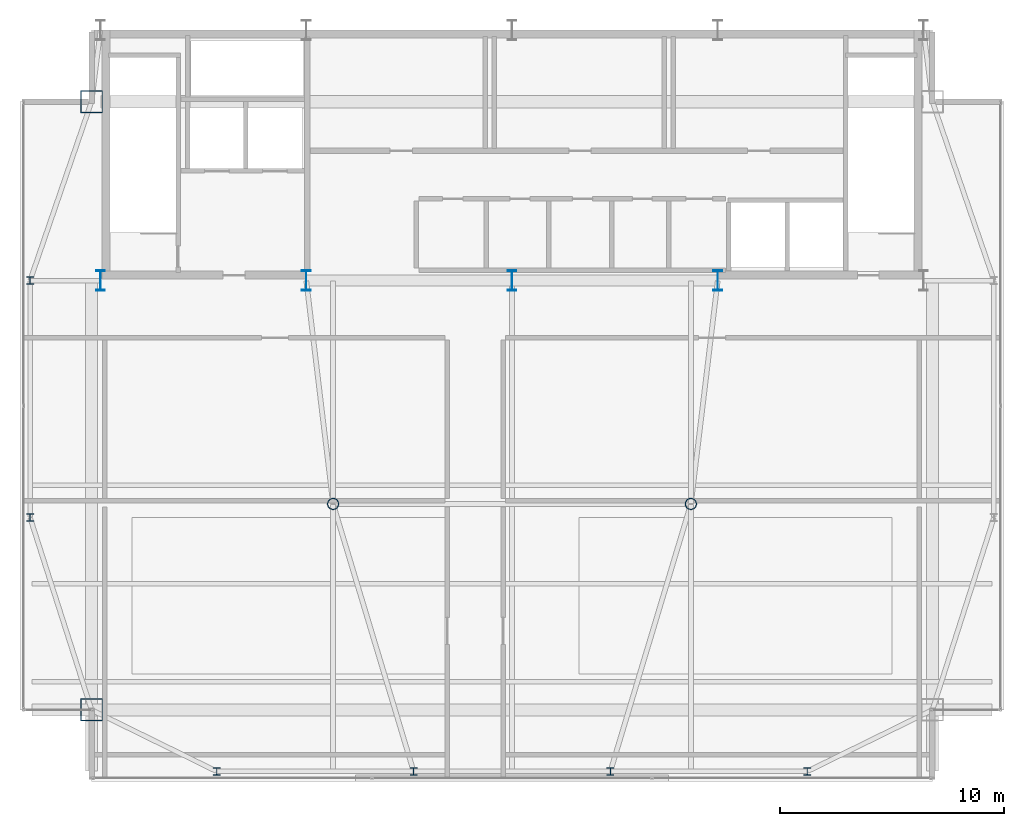
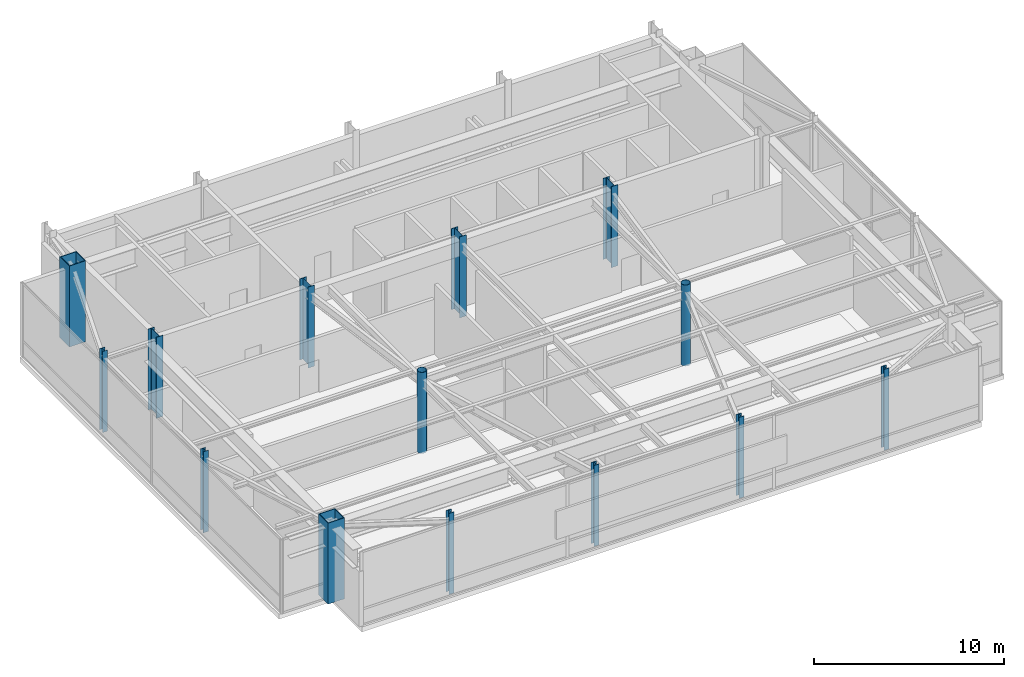
# One storey, part 1 of 20: 14 columns.
"""IFC4 building model written with IfcOpenShell, lengths in metres."""

from ifc_helpers import new_model, si_unit, direction, frame, origin, origin_2d, place, context, subcontext, project, spatial, hollow_rectangle, hollow_circle, i_section, extrude, source, transform, mapped, material, material_profile, profile_set, type_object, type_shapes, element, save


model = new_model("IFC4")

# Units and contexts
model_context = context("Model", 3, precision=1e-05, world=origin(), true_north=direction((0.0, 1.0)))
body_context = subcontext(model_context, "Body", "Model", "MODEL_VIEW")
ifc_project = project(units=[si_unit("LENGTHUNIT", "METRE"), si_unit("AREAUNIT", "SQUARE_METRE"), si_unit("VOLUMEUNIT", "CUBIC_METRE"), si_unit("PLANEANGLEUNIT", "RADIAN"), si_unit("MASSUNIT", "GRAM", prefix="KILO")], contexts=[model_context])

# Site, building, storey
site_placement = place(None, origin())
site = spatial("IfcSite", under=ifc_project, at=site_placement, CompositionType="ELEMENT")
building_placement = place(site_placement, origin())
building = spatial("IfcBuilding", under=site, at=building_placement, Name="Varnel Quay Broadcast Tower", CompositionType="ELEMENT")
storey_placement = place(building_placement, frame((0.0, 0.0, 314.60009765625)))
storey = spatial("IfcBuildingStorey", under=building, at=storey_placement, Name="L78", CompositionType="ELEMENT", Elevation=314.60009765625)

# Columns
ifc_material_1 = material(Name="Structural Steel CSA G40.21 350WT", Category="steel")
ifc_material_profile_1 = material_profile(ifc_material_1, i_section(OverallWidth=0.39990234375, OverallDepth=0.89990234375, WebThickness=0.01611328125, FlangeThickness=0.028076171875, FilletRadius=0.01611328125, at=origin_2d()), Name="WWF900X309")
ifc_profile_set_1 = profile_set([ifc_material_profile_1], Name="Structural Steel CSA G40.21 350WT")
column_type_1 = type_object("IfcColumnType", Name="Col_WWF900X309", PredefinedType="COLUMN", material=ifc_profile_set_1)
shared_shape_1 = source(origin(), body_context, "Body", "SweptSolid", [
    extrude(i_section(OverallWidth=0.39990234375, OverallDepth=0.89990234375, WebThickness=0.01611328125, FlangeThickness=0.028076171875, FilletRadius=0.01611328125, at=origin_2d()), origin(), (0.0, 0.0, 1.0), 5.199951171875),
])
type_shapes(column_type_1, [shared_shape_1])
for number, where, z_axis, x_axis, name in (
    (1, (15.60009765625, 35.60009765625, 0.0), (0.0, 0.0, 1.0), (1.0, 0.0, 0.0), "L78 Column CC-S1"),
    (2, (24.800048828125, 35.60009765625, 0.0), (0.0, 0.0, 1.0), (1.0, 0.0, 0.0), "L78 Column CC-S2"),
    (3, (34.0, 35.60009765625, 0.0), (0.0, 0.0, 1.0), (1.0, 0.0, 0.0), "L78 Column CC-S3"),
    (4, (43.199951171875, 35.60009765625, 0.0), (0.0, 0.0, 1.0), (1.0, 0.0, 0.0), "L78 Column CC-S4"),
):
    element("IfcColumn", number, at=place(storey_placement, frame(where, z_axis=z_axis, x_axis=x_axis)), inside=storey, type_object=column_type_1, Name=name, PredefinedType="COLUMN", context=body_context, shape_type="MappedRepresentation", body=[
        mapped(shared_shape_1, transform((0.0, 0.0, 0.0), x_axis=(1.0, 0.0, 0.0), y_axis=(0.0, 1.0, 0.0), z_axis=(0.0, 0.0, 1.0), scale=1.0)),
    ])
ifc_material_profile_2 = material_profile(ifc_material_1, hollow_rectangle(XDim=1.0, YDim=1.0, WallThickness=0.0400390625, at=origin_2d()), Name="BOX1000X1000X40")
ifc_profile_set_2 = profile_set([ifc_material_profile_2], Name="Structural Steel CSA G40.21 350WT")
column_type_2 = type_object("IfcColumnType", Name="Col_BOX1000X1000X40", PredefinedType="COLUMN", material=ifc_profile_set_2)
shared_shape_2 = source(origin(), body_context, "Body", "SweptSolid", [
    extrude(hollow_rectangle(XDim=1.0, YDim=1.0, WallThickness=0.0400390625, at=origin_2d()), origin(), (0.0, 0.0, 1.0), 5.199951171875),
])
type_shapes(column_type_2, [shared_shape_2])
for number, where, z_axis, x_axis, name in (
    (5, (15.199951171875, 16.39990234375, 0.0), (0.0, 0.0, 1.0), (1.0, 0.0, 0.0), "L78 Column MC-SW"),
    (6, (15.199951171875, 43.60009765625, 0.0), (0.0, 0.0, 1.0), (1.0, 0.0, 0.0), "L78 Column MC-NW"),
):
    element("IfcColumn", number, at=place(storey_placement, frame(where, z_axis=z_axis, x_axis=x_axis)), inside=storey, type_object=column_type_2, Name=name, PredefinedType="COLUMN", context=body_context, shape_type="MappedRepresentation", body=[
        mapped(shared_shape_2, transform((0.0, 0.0, 0.0), x_axis=(1.0, 0.0, 0.0), y_axis=(0.0, 1.0, 0.0), z_axis=(0.0, 0.0, 1.0), scale=1.0)),
    ])
ifc_material_2 = material(Name="Structural Steel CSA G40.21 350W", Category="steel")
ifc_material_profile_3 = material_profile(ifc_material_2, i_section(OverallWidth=0.30908203125, OverallDepth=0.322998046875, WebThickness=0.013916015625, FlangeThickness=0.02294921875, FilletRadius=0.014892578125, at=origin_2d()), Name="W310X143")
ifc_profile_set_3 = profile_set([ifc_material_profile_3], Name="Structural Steel CSA G40.21 350W")
column_type_3 = type_object("IfcColumnType", Name="Col_W310X143", PredefinedType="COLUMN", material=ifc_profile_set_3)
shared_shape_3 = source(origin(), body_context, "Body", "SweptSolid", [
    extrude(i_section(OverallWidth=0.30908203125, OverallDepth=0.322998046875, WebThickness=0.013916015625, FlangeThickness=0.02294921875, FilletRadius=0.014892578125, at=origin_2d()), origin(), (0.0, 0.0, 1.0), 5.199951171875),
])
type_shapes(column_type_3, [shared_shape_3])
for number, where, z_axis, x_axis, name in (
    (7, (20.800048828125, 13.64990234375, 0.0), (0.0, 0.0, 1.0), (1.0, 0.0, 0.0), "L78 Column TC-S1"),
    (8, (29.60009765625, 13.64990234375, 0.0), (0.0, 0.0, 1.0), (1.0, 0.0, 0.0), "L78 Column TC-S2"),
    (9, (38.39990234375, 13.64990234375, 0.0), (0.0, 0.0, 1.0), (1.0, 0.0, 0.0), "L78 Column TC-S3"),
    (10, (47.199951171875, 13.64990234375, 0.0), (0.0, 0.0, 1.0), (1.0, 0.0, 0.0), "L78 Column TC-S4"),
    (11, (12.449951171875, 25.0, 0.0), (0.0, 0.0, 1.0), (1.0, 0.0, 0.0), "L78 Column TC-W1"),
    (12, (12.449951171875, 35.60009765625, 0.0), (0.0, 0.0, 1.0), (1.0, 0.0, 0.0), "L78 Column TC-W2"),
):
    element("IfcColumn", number, at=place(storey_placement, frame(where, z_axis=z_axis, x_axis=x_axis)), inside=storey, type_object=column_type_3, Name=name, PredefinedType="COLUMN", context=body_context, shape_type="MappedRepresentation", body=[
        mapped(shared_shape_3, transform((0.0, 0.0, 0.0), x_axis=(1.0, 0.0, 0.0), y_axis=(0.0, 1.0, 0.0), z_axis=(0.0, 0.0, 1.0), scale=1.0)),
    ])
ifc_material_profile_4 = material_profile(ifc_material_2, hollow_circle(Radius=0.25390625, WallThickness=0.02001953125, at=origin_2d()), Name="CHS508X20")
ifc_profile_set_4 = profile_set([ifc_material_profile_4], Name="Structural Steel CSA G40.21 350W")
column_type_4 = type_object("IfcColumnType", Name="Col_CHS508X20", PredefinedType="COLUMN", material=ifc_profile_set_4)
shared_shape_4 = source(origin(), body_context, "Body", "SweptSolid", [
    extrude(hollow_circle(Radius=0.25390625, WallThickness=0.02001953125, at=origin_2d()), origin(), (0.0, 0.0, 1.0), 5.199951171875),
])
type_shapes(column_type_4, [shared_shape_4])
for number, where, z_axis, x_axis, name in (
    (13, (26.0, 25.610107421875, 0.0), (0.0, 0.0, 1.0), (1.0, 0.0, 0.0), "L78 Column IC-01"),
    (14, (42.0, 25.610107421875, 0.0), (0.0, 0.0, 1.0), (1.0, 0.0, 0.0), "L78 Column IC-02"),
):
    element("IfcColumn", number, at=place(storey_placement, frame(where, z_axis=z_axis, x_axis=x_axis)), inside=storey, type_object=column_type_4, Name=name, PredefinedType="COLUMN", context=body_context, shape_type="MappedRepresentation", body=[
        mapped(shared_shape_4, transform((0.0, 0.0, 0.0), x_axis=(1.0, 0.0, 0.0), y_axis=(0.0, 1.0, 0.0), z_axis=(0.0, 0.0, 1.0), scale=1.0)),
    ])

save(model, "model.ifc")
